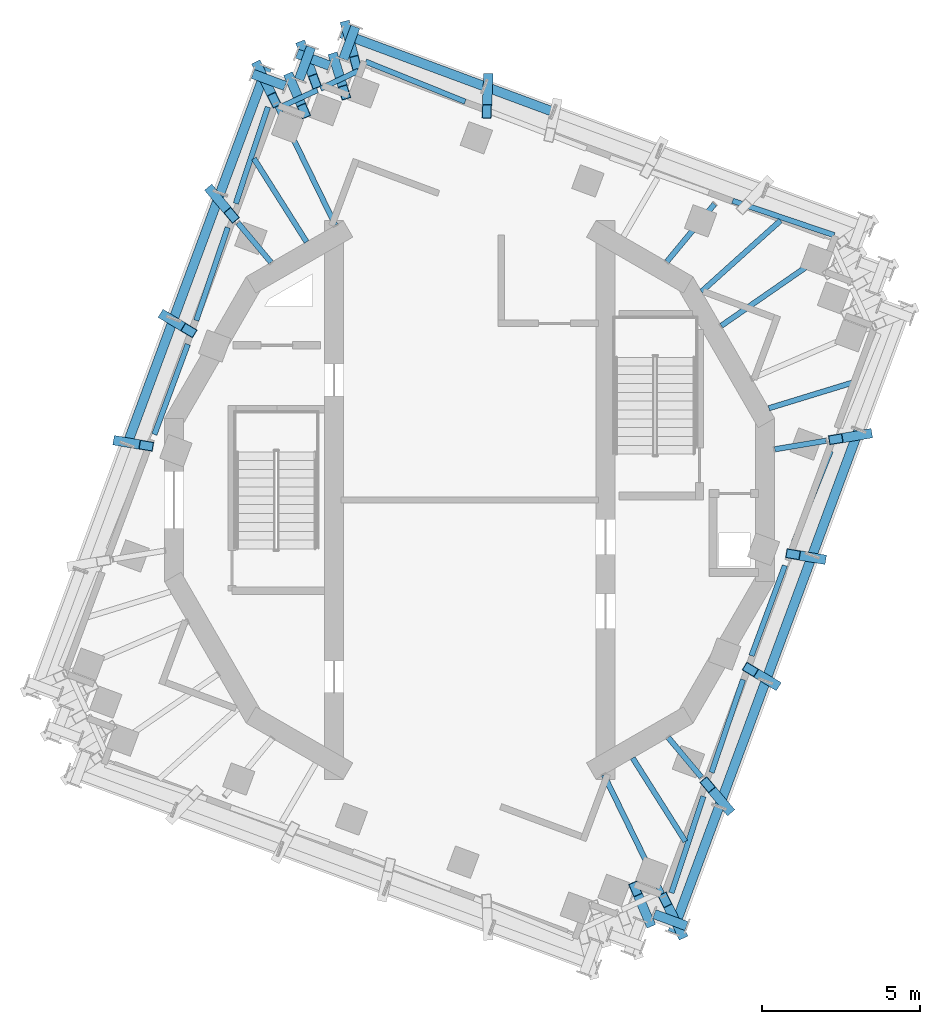
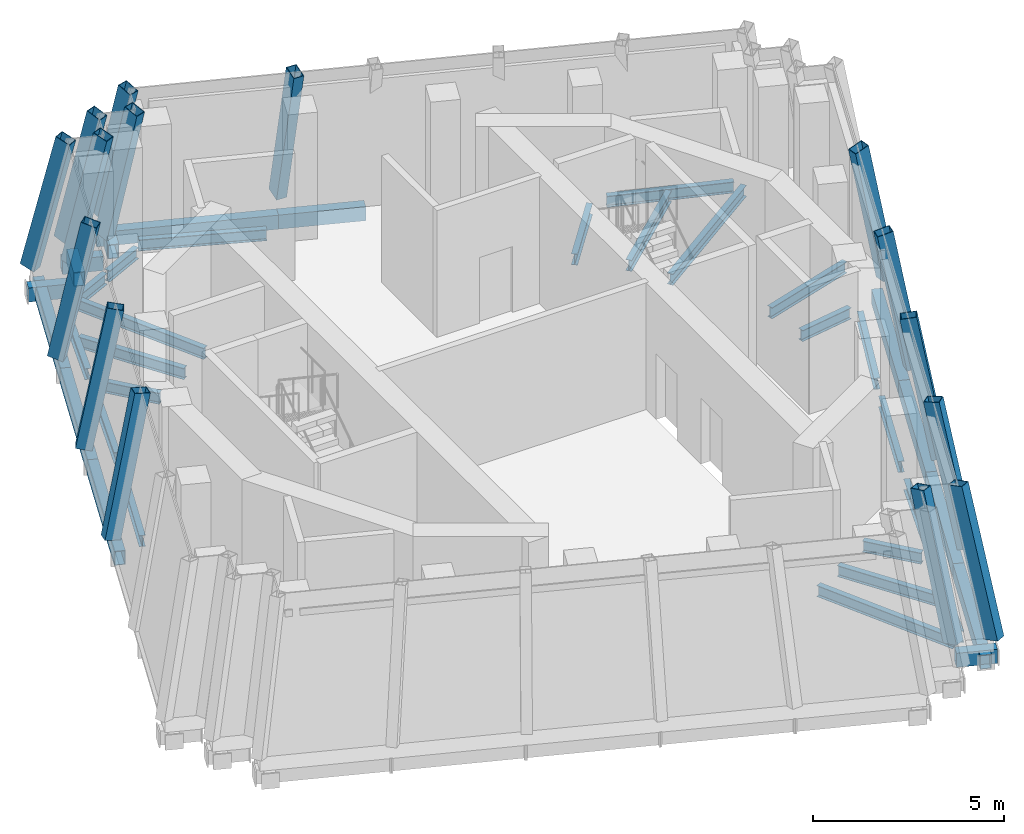
# One storey, part 2 of 11: 29 members, 22 beams, 16 elements without a shape of their own.
"""IFC4 building model written with IfcOpenShell, lengths in metres."""

from ifc_helpers import new_model, si_unit, direction, frame, origin, origin_2d, place, context, subcontext, project, spatial, hollow_rectangle, i_section, extrude, material, material_profile, profile_set, type_object, element, aggregate, save


model = new_model("IFC4")

# Units and contexts
model_context = context("Model", 3, precision=1e-05, world=origin(), true_north=direction((0.0, 1.0)))
body_context = subcontext(model_context, "Body", "Model", "MODEL_VIEW")
ifc_project = project(units=[si_unit("LENGTHUNIT", "METRE"), si_unit("AREAUNIT", "SQUARE_METRE"), si_unit("VOLUMEUNIT", "CUBIC_METRE"), si_unit("PLANEANGLEUNIT", "RADIAN"), si_unit("MASSUNIT", "GRAM", prefix="KILO")], contexts=[model_context])

# Site, building, storey
site_placement = place(None, origin())
site = spatial("IfcSite", under=ifc_project, at=site_placement, CompositionType="ELEMENT")
building_placement = place(site_placement, origin())
building = spatial("IfcBuilding", under=site, at=building_placement, Name="Cantera Rosa Tower", CompositionType="ELEMENT")
storey_placement = place(building_placement, frame((0.0, 0.0, 369.699951171875)))
storey = spatial("IfcBuildingStorey", under=building, at=storey_placement, Name="L83", CompositionType="ELEMENT", Elevation=369.699951171875)

# Curtain wall, member
ifc_material_1 = material(Name="Aluminium frame with clear glass", Category="aluminium")
curtain_wall_type = type_object("IfcCurtainWallType", Name="CW4 CROWN GLAZING", PredefinedType="NOTDEFINED", material=ifc_material_1)
curtain_wall_1_placement = place(storey_placement, origin())
curtain_wall_1 = element("IfcCurtainWall", 1, at=curtain_wall_1_placement, inside=storey, type_object=curtain_wall_type, Name="CW4 L83-05", PredefinedType="NOTDEFINED")
ifc_material_2 = material(Name="Steel S355J2 (EN 10025-2)", Category="steel")
ifc_material_profile_1 = material_profile(ifc_material_2, hollow_rectangle(XDim=0.300048828125, YDim=0.449951171875, WallThickness=0.01611328125, at=origin_2d()), Name="CROWN FRAME MULLION RHS 300x450x16")
ifc_profile_set_1 = profile_set([ifc_material_profile_1], Name="Steel S355J2 (EN 10025-2)")
member_type_1 = type_object("IfcMemberType", Name="CROWN FRAME MULLION RHS 300x450x16", PredefinedType="MULLION", material=ifc_profile_set_1)
member_1_placement = place(storey_placement, frame((0.58544921875, 13.28759765625, 0.0), z_axis=(-0.009433619005, -0.213687369813, 0.976856547716), x_axis=(0.999026950985, -0.044103868372, 0.0)))
member_1 = element("IfcMember", 2, at=member_1_placement, type_object=member_type_1, Name="CROWN FRAME rib L83-05", PredefinedType="MULLION", context=body_context, shape_type="SweptSolid", body=[
    extrude(hollow_rectangle(XDim=0.300048828125, YDim=0.449951171875, WallThickness=0.01611328125, at=origin_2d()), origin(), (0.0, 0.0, 1.0), 4.606689453125),
])

curtain_wall_2_placement = place(storey_placement, origin())
curtain_wall_2 = element("IfcCurtainWall", 3, at=curtain_wall_2_placement, inside=storey, type_object=curtain_wall_type, Name="CW4 L83-06", PredefinedType="NOTDEFINED")
member_2_placement = place(storey_placement, frame((-3.904052734375, 14.951171875, 0.0), z_axis=(0.062306478041, -0.238499733664, 0.96914177489), x_axis=(0.967528872957, 0.252760519059, 0.0)))
member_2 = element("IfcMember", 4, at=member_2_placement, type_object=member_type_1, Name="CROWN FRAME rib L83-06", PredefinedType="MULLION", context=body_context, shape_type="SweptSolid", body=[
    extrude(hollow_rectangle(XDim=0.300048828125, YDim=0.449951171875, WallThickness=0.01611328125, at=origin_2d()), origin(), (0.0, 0.0, 1.0), 4.643310546875),
])

curtain_wall_3_placement = place(storey_placement, origin())
curtain_wall_3 = element("IfcCurtainWall", 5, at=curtain_wall_3_placement, inside=storey, type_object=curtain_wall_type, Name="CW4 L83-07", PredefinedType="NOTDEFINED")
member_3_placement = place(storey_placement, frame((-4.279296875, 13.9384765625, 0.0), z_axis=(0.068476464334, -0.223102440423, 0.97238689569), x_axis=(0.955984057703, 0.293418611232, 0.0)))
member_3 = element("IfcMember", 6, at=member_3_placement, type_object=member_type_1, Name="CROWN FRAME rib L83-07", PredefinedType="MULLION", context=body_context, shape_type="SweptSolid", body=[
    extrude(hollow_rectangle(XDim=0.300048828125, YDim=0.449951171875, WallThickness=0.01611328125, at=origin_2d()), origin(), (0.0, 0.0, 1.0), 4.627685546875),
])

curtain_wall_4_placement = place(storey_placement, origin())
curtain_wall_4 = element("IfcCurtainWall", 7, at=curtain_wall_4_placement, inside=storey, type_object=curtain_wall_type, Name="CW4 L83-08", PredefinedType="NOTDEFINED")
member_4_placement = place(storey_placement, frame((-5.2919921875, 14.313720703125, 0.0), z_axis=(0.084505308064, -0.228522137559, 0.9698641583), x_axis=(0.937925785431, 0.346836014599, 0.0)))
member_4 = element("IfcMember", 8, at=member_4_placement, type_object=member_type_1, Name="CROWN FRAME rib L83-08", PredefinedType="MULLION", context=body_context, shape_type="SweptSolid", body=[
    extrude(hollow_rectangle(XDim=0.300048828125, YDim=0.449951171875, WallThickness=0.01611328125, at=origin_2d()), origin(), (0.0, 0.0, 1.0), 4.639892578125),
])

curtain_wall_5_placement = place(storey_placement, origin())
curtain_wall_5 = element("IfcCurtainWall", 9, at=curtain_wall_5_placement, inside=storey, type_object=curtain_wall_type, Name="CW4 L83-09", PredefinedType="NOTDEFINED")
member_5_placement = place(storey_placement, frame((-5.667236328125, 13.301025390625, 0.0), z_axis=(0.090728533158, -0.212966626696, 0.972837884328), x_axis=(0.919992009183, 0.39193711618, 0.0)))
member_5 = element("IfcMember", 10, at=member_5_placement, type_object=member_type_1, Name="CROWN FRAME rib L83-09", PredefinedType="MULLION", context=body_context, shape_type="SweptSolid", body=[
    extrude(hollow_rectangle(XDim=0.300048828125, YDim=0.449951171875, WallThickness=0.01611328125, at=origin_2d()), origin(), (0.0, 0.0, 1.0), 4.625732421875),
])

curtain_wall_6_placement = place(storey_placement, origin())
curtain_wall_6 = element("IfcCurtainWall", 11, at=curtain_wall_6_placement, inside=storey, type_object=curtain_wall_type, Name="CW4 L83-10", PredefinedType="NOTDEFINED")
member_6_placement = place(storey_placement, frame((-6.679931640625, 13.67626953125, 0.0), z_axis=(0.106675116343, -0.218349806467, 0.970022567557), x_axis=(0.898503957326, 0.438965418535, 0.0)))
member_6 = element("IfcMember", 12, at=member_6_placement, type_object=member_type_1, Name="CROWN FRAME rib L83-10", PredefinedType="MULLION", context=body_context, shape_type="SweptSolid", body=[
    extrude(hollow_rectangle(XDim=0.300048828125, YDim=0.449951171875, WallThickness=0.01611328125, at=origin_2d()), origin(), (0.0, 0.0, 1.0), 4.63916015625),
])

curtain_wall_7_placement = place(storey_placement, origin())
curtain_wall_7 = element("IfcCurtainWall", 13, at=curtain_wall_7_placement, inside=storey, type_object=curtain_wall_type, Name="CW4 L83-11", PredefinedType="NOTDEFINED")
member_7_placement = place(storey_placement, frame((-8.139892578125, 9.737060546875, 0.0), z_axis=(0.131173169055, -0.156929843951, 0.978859859121), x_axis=(0.76726269834, 0.641332949205, 0.0)))
member_7 = element("IfcMember", 14, at=member_7_placement, type_object=member_type_1, Name="CROWN FRAME rib L83-11", PredefinedType="MULLION", context=body_context, shape_type="SweptSolid", body=[
    extrude(hollow_rectangle(XDim=0.300048828125, YDim=0.449951171875, WallThickness=0.01611328125, at=origin_2d()), origin(), (0.0, 0.0, 1.0), 4.59716796875),
])

curtain_wall_8_placement = place(storey_placement, origin())
curtain_wall_8 = element("IfcCurtainWall", 15, at=curtain_wall_8_placement, inside=storey, type_object=curtain_wall_type, Name="CW4 L83-12", PredefinedType="NOTDEFINED")
member_8_placement = place(storey_placement, frame((-9.599609375, 5.797607421875, 0.0), z_axis=(0.15536192756, -0.093846713797, 0.983389783237), x_axis=(0.517043858329, 0.855958905886, 0.0)))
member_8 = element("IfcMember", 16, at=member_8_placement, type_object=member_type_1, Name="CROWN FRAME rib L83-12", PredefinedType="MULLION", context=body_context, shape_type="SweptSolid", body=[
    extrude(hollow_rectangle(XDim=0.300048828125, YDim=0.449951171875, WallThickness=0.01611328125, at=origin_2d()), origin(), (0.0, 0.0, 1.0), 4.575927734375),
])

curtain_wall_9_placement = place(storey_placement, origin())
curtain_wall_9 = element("IfcCurtainWall", 17, at=curtain_wall_9_placement, inside=storey, type_object=curtain_wall_type, Name="CW4 L83-13", PredefinedType="NOTDEFINED")
member_9_placement = place(storey_placement, frame((-11.0595703125, 1.858154296875, 0.0), z_axis=(0.179048567756, -0.030090402925, 0.983379976426), x_axis=(0.165733088337, 0.986170646202, 0.0)))
member_9 = element("IfcMember", 18, at=member_9_placement, type_object=member_type_1, Name="CROWN FRAME rib L83-13", PredefinedType="MULLION", context=body_context, shape_type="SweptSolid", body=[
    extrude(hollow_rectangle(XDim=0.300048828125, YDim=0.449951171875, WallThickness=0.01611328125, at=origin_2d()), origin(), (0.0, 0.0, 1.0), 4.576171875),
])
aggregate(curtain_wall_9, [member_9])

curtain_wall_10_placement = place(storey_placement, origin())
curtain_wall_10 = element("IfcCurtainWall", 19, at=curtain_wall_10_placement, inside=storey, type_object=curtain_wall_type, Name="CW4 L83-27", PredefinedType="NOTDEFINED")
member_10_placement = place(storey_placement, frame((5.667236328125, -13.301025390625, 0.0), z_axis=(-0.090728533158, 0.212966626696, 0.972837884328), x_axis=(-0.919992009183, -0.39193711618, 0.0)))
member_10 = element("IfcMember", 20, at=member_10_placement, type_object=member_type_1, Name="CROWN FRAME rib L83-27", PredefinedType="MULLION", context=body_context, shape_type="SweptSolid", body=[
    extrude(hollow_rectangle(XDim=0.300048828125, YDim=0.449951171875, WallThickness=0.01611328125, at=origin_2d()), origin(), (0.0, 0.0, 1.0), 4.625732421875),
])

curtain_wall_11_placement = place(storey_placement, origin())
curtain_wall_11 = element("IfcCurtainWall", 21, at=curtain_wall_11_placement, inside=storey, type_object=curtain_wall_type, Name="CW4 L83-28", PredefinedType="NOTDEFINED")
member_11_placement = place(storey_placement, frame((6.679931640625, -13.67626953125, 0.0), z_axis=(-0.106675116343, 0.218349806467, 0.970022567557), x_axis=(-0.898503957326, -0.438965418535, 0.0)))
member_11 = element("IfcMember", 22, at=member_11_placement, type_object=member_type_1, Name="CROWN FRAME rib L83-28", PredefinedType="MULLION", context=body_context, shape_type="SweptSolid", body=[
    extrude(hollow_rectangle(XDim=0.300048828125, YDim=0.449951171875, WallThickness=0.01611328125, at=origin_2d()), origin(), (0.0, 0.0, 1.0), 4.63916015625),
])

curtain_wall_12_placement = place(storey_placement, origin())
curtain_wall_12 = element("IfcCurtainWall", 23, at=curtain_wall_12_placement, inside=storey, type_object=curtain_wall_type, Name="CW4 L83-29", PredefinedType="NOTDEFINED")
member_12_placement = place(storey_placement, frame((8.139892578125, -9.737060546875, 0.0), z_axis=(-0.131173169055, 0.156929843951, 0.978859859121), x_axis=(-0.76726269834, -0.641332949205, 0.0)))
member_12 = element("IfcMember", 24, at=member_12_placement, type_object=member_type_1, Name="CROWN FRAME rib L83-29", PredefinedType="MULLION", context=body_context, shape_type="SweptSolid", body=[
    extrude(hollow_rectangle(XDim=0.300048828125, YDim=0.449951171875, WallThickness=0.01611328125, at=origin_2d()), origin(), (0.0, 0.0, 1.0), 4.59716796875),
])

curtain_wall_13_placement = place(storey_placement, origin())
curtain_wall_13 = element("IfcCurtainWall", 25, at=curtain_wall_13_placement, inside=storey, type_object=curtain_wall_type, Name="CW4 L83-30", PredefinedType="NOTDEFINED")
member_13_placement = place(storey_placement, frame((9.599609375, -5.797607421875, 0.0), z_axis=(-0.15536192756, 0.093846713797, 0.983389783237), x_axis=(-0.517043858329, -0.855958905886, 0.0)))
member_13 = element("IfcMember", 26, at=member_13_placement, type_object=member_type_1, Name="CROWN FRAME rib L83-30", PredefinedType="MULLION", context=body_context, shape_type="SweptSolid", body=[
    extrude(hollow_rectangle(XDim=0.300048828125, YDim=0.449951171875, WallThickness=0.01611328125, at=origin_2d()), origin(), (0.0, 0.0, 1.0), 4.575927734375),
])

curtain_wall_14_placement = place(storey_placement, origin())
curtain_wall_14 = element("IfcCurtainWall", 27, at=curtain_wall_14_placement, inside=storey, type_object=curtain_wall_type, Name="CW4 L83-31", PredefinedType="NOTDEFINED")
member_14_placement = place(storey_placement, frame((11.0595703125, -1.858154296875, 0.0), z_axis=(-0.179048567756, 0.030090402925, 0.983379976426), x_axis=(-0.165733088337, -0.986170646202, 0.0)))
member_14 = element("IfcMember", 28, at=member_14_placement, type_object=member_type_1, Name="CROWN FRAME rib L83-31", PredefinedType="MULLION", context=body_context, shape_type="SweptSolid", body=[
    extrude(hollow_rectangle(XDim=0.300048828125, YDim=0.449951171875, WallThickness=0.01611328125, at=origin_2d()), origin(), (0.0, 0.0, 1.0), 4.576171875),
])

curtain_wall_15_placement = place(storey_placement, origin())
curtain_wall_15 = element("IfcCurtainWall", 29, at=curtain_wall_15_placement, inside=storey, type_object=curtain_wall_type, Name="CW4 L83-32", PredefinedType="NOTDEFINED")
member_15_placement = place(storey_placement, frame((12.519287109375, 2.081298828125, 0.0), z_axis=(-0.201701136075, -0.033563748815, 0.978871864174), x_axis=(0.164146276387, -0.986436009049, 0.0)))
member_15 = element("IfcMember", 30, at=member_15_placement, type_object=member_type_1, Name="CROWN FRAME rib L83-32", PredefinedType="MULLION", context=body_context, shape_type="SweptSolid", body=[
    extrude(hollow_rectangle(XDim=0.300048828125, YDim=0.449951171875, WallThickness=0.01611328125, at=origin_2d()), origin(), (0.0, 0.0, 1.0), 4.59716796875),
])
aggregate(curtain_wall_15, [member_15])

curtain_wall_16_placement = place(storey_placement, origin())
curtain_wall_16 = element("IfcCurtainWall", 31, at=curtain_wall_16_placement, inside=storey, type_object=curtain_wall_type, Name="CW4 L83-04", PredefinedType="NOTDEFINED")
ifc_material_3 = material(Name="Steel S355J2 (EN 10025-2)", Category="steel")
ifc_material_profile_2 = material_profile(ifc_material_3, hollow_rectangle(XDim=0.300048828125, YDim=0.449951171875, WallThickness=0.01611328125, at=origin_2d()), Name="CROWN FRAME PURLIN RHS 300x450x16")
ifc_profile_set_2 = profile_set([ifc_material_profile_2], Name="Steel S355J2 (EN 10025-2)")
member_type_2 = type_object("IfcMemberType", Name="CROWN FRAME PURLIN RHS 300x450x16", PredefinedType="PURLIN", material=ifc_profile_set_2)
member_16_placement = place(storey_placement, frame((2.6474609375, 12.292236328125, -0.675048828125), z_axis=(-0.937680191067, 0.347499437812, 0.0), x_axis=(-0.347499437812, -0.937680191067, 0.0)))
member_16 = element("IfcMember", 32, at=member_16_placement, type_object=member_type_2, Name="CROWN FRAME purlin L83-04", PredefinedType="PURLIN", context=body_context, shape_type="SweptSolid", body=[
    extrude(hollow_rectangle(XDim=0.300048828125, YDim=0.449951171875, WallThickness=0.01611328125, at=origin_2d()), origin(), (0.0, 0.0, 1.0), 2.31982421875),
])
aggregate(curtain_wall_16, [member_16])

# Member
member_17_placement = place(storey_placement, frame((0.47216796875, 13.098388671875, -0.675048828125), z_axis=(-0.937685401829, 0.347485376953, 0.0), x_axis=(-0.347485376953, -0.937685401829, 0.0)))
member_17 = element("IfcMember", 33, at=member_17_placement, type_object=member_type_2, Name="CROWN FRAME purlin L83-05", PredefinedType="PURLIN", context=body_context, shape_type="SweptSolid", body=[
    extrude(hollow_rectangle(XDim=0.300048828125, YDim=0.449951171875, WallThickness=0.01611328125, at=origin_2d()), origin(), (0.0, 0.0, 1.0), 4.835205078125),
])

aggregate(curtain_wall_1, [member_1, member_17])

member_18_placement = place(storey_placement, frame((-3.619384765625, 14.984619140625, -0.675048828125), z_axis=(-0.347467379273, -0.937692071173, 0.0), x_axis=(0.937692071173, -0.347467379273, 0.0)))
member_18 = element("IfcMember", 34, at=member_18_placement, type_object=member_type_2, Name="CROWN FRAME purlin L83-06", PredefinedType="PURLIN", context=body_context, shape_type="SweptSolid", body=[
    extrude(hollow_rectangle(XDim=0.300048828125, YDim=0.449951171875, WallThickness=0.01611328125, at=origin_2d()), origin(), (0.0, 0.0, 1.0), 1.091064453125),
])

aggregate(curtain_wall_2, [member_2, member_18])

member_19_placement = place(storey_placement, frame((-4.441650390625, 13.755859375, -0.675048828125), z_axis=(-0.937665049804, 0.347540291729, 0.0), x_axis=(-0.347540291729, -0.937665049804, 0.0)))
member_19 = element("IfcMember", 35, at=member_19_placement, type_object=member_type_2, Name="CROWN FRAME purlin L83-07", PredefinedType="PURLIN", context=body_context, shape_type="SweptSolid", body=[
    extrude(hollow_rectangle(XDim=0.300048828125, YDim=0.449951171875, WallThickness=0.01611328125, at=origin_2d()), origin(), (0.0, 0.0, 1.0), 1.091064453125),
])

aggregate(curtain_wall_3, [member_3, member_19])

member_20_placement = place(storey_placement, frame((-5.02197265625, 14.339599609375, -0.675048828125), z_axis=(-0.347467379273, -0.937692071173, 0.0), x_axis=(0.937692071173, -0.347467379273, 0.0)))
member_20 = element("IfcMember", 36, at=member_20_placement, type_object=member_type_2, Name="CROWN FRAME purlin L83-08", PredefinedType="PURLIN", context=body_context, shape_type="SweptSolid", body=[
    extrude(hollow_rectangle(XDim=0.300048828125, YDim=0.449951171875, WallThickness=0.01611328125, at=origin_2d()), origin(), (0.0, 0.0, 1.0), 1.091064453125),
])

aggregate(curtain_wall_4, [member_4, member_20])

member_21_placement = place(storey_placement, frame((-5.844482421875, 13.112548828125, -0.675048828125), z_axis=(-0.937737961534, 0.347343512244, 0.0), x_axis=(-0.347343512244, -0.937737961534, 0.0)))
member_21 = element("IfcMember", 37, at=member_21_placement, type_object=member_type_2, Name="CROWN FRAME purlin L83-09", PredefinedType="PURLIN", context=body_context, shape_type="SweptSolid", body=[
    extrude(hollow_rectangle(XDim=0.300048828125, YDim=0.449951171875, WallThickness=0.01611328125, at=origin_2d()), origin(), (0.0, 0.0, 1.0), 1.0908203125),
])

aggregate(curtain_wall_5, [member_5, member_21])

member_22_placement = place(storey_placement, frame((-6.42431640625, 13.694580078125, -0.675048828125), z_axis=(-0.347501731493, -0.937679341038, 0.0), x_axis=(0.937679341038, -0.347501731493, 0.0)))
member_22 = element("IfcMember", 38, at=member_22_placement, type_object=member_type_2, Name="CROWN FRAME purlin L83-10", PredefinedType="PURLIN", context=body_context, shape_type="SweptSolid", body=[
    extrude(hollow_rectangle(XDim=0.300048828125, YDim=0.449951171875, WallThickness=0.01611328125, at=origin_2d()), origin(), (0.0, 0.0, 1.0), 4.243408203125),
])

aggregate(curtain_wall_6, [member_6, member_22])

member_23_placement = place(storey_placement, frame((-7.89892578125, 9.715576171875, -0.675048828125), z_axis=(-0.347482985453, -0.937686288063, 0.0), x_axis=(0.937686288063, -0.347482985453, 0.0)))
member_23 = element("IfcMember", 39, at=member_23_placement, type_object=member_type_2, Name="CROWN FRAME purlin L83-11", PredefinedType="PURLIN", context=body_context, shape_type="SweptSolid", body=[
    extrude(hollow_rectangle(XDim=0.300048828125, YDim=0.449951171875, WallThickness=0.01611328125, at=origin_2d()), origin(), (0.0, 0.0, 1.0), 4.24365234375),
])

aggregate(curtain_wall_7, [member_7, member_23])

member_24_placement = place(storey_placement, frame((-9.37353515625, 5.736328125, -0.675048828125), z_axis=(-0.347501731493, -0.937679341038, 0.0), x_axis=(0.937679341038, -0.347501731493, 0.0)))
member_24 = element("IfcMember", 40, at=member_24_placement, type_object=member_type_2, Name="CROWN FRAME purlin L83-12", PredefinedType="PURLIN", context=body_context, shape_type="SweptSolid", body=[
    extrude(hollow_rectangle(XDim=0.300048828125, YDim=0.449951171875, WallThickness=0.01611328125, at=origin_2d()), origin(), (0.0, 0.0, 1.0), 4.243408203125),
])

aggregate(curtain_wall_8, [member_8, member_24])

member_25_placement = place(storey_placement, frame((5.844482421875, -13.112548828125, -0.675048828125), z_axis=(0.937737961534, -0.347343512244, 0.0), x_axis=(0.347343512244, 0.937737961534, 0.0)))
member_25 = element("IfcMember", 41, at=member_25_placement, type_object=member_type_2, Name="CROWN FRAME purlin L83-27", PredefinedType="PURLIN", context=body_context, shape_type="SweptSolid", body=[
    extrude(hollow_rectangle(XDim=0.300048828125, YDim=0.449951171875, WallThickness=0.01611328125, at=origin_2d()), origin(), (0.0, 0.0, 1.0), 1.0908203125),
])

aggregate(curtain_wall_10, [member_10, member_25])

member_26_placement = place(storey_placement, frame((6.42431640625, -13.694580078125, -0.675048828125), z_axis=(0.347501731493, 0.937679341038, 0.0), x_axis=(-0.937679341038, 0.347501731493, 0.0)))
member_26 = element("IfcMember", 42, at=member_26_placement, type_object=member_type_2, Name="CROWN FRAME purlin L83-28", PredefinedType="PURLIN", context=body_context, shape_type="SweptSolid", body=[
    extrude(hollow_rectangle(XDim=0.300048828125, YDim=0.449951171875, WallThickness=0.01611328125, at=origin_2d()), origin(), (0.0, 0.0, 1.0), 4.243408203125),
])

aggregate(curtain_wall_11, [member_11, member_26])

member_27_placement = place(storey_placement, frame((7.89892578125, -9.715576171875, -0.675048828125), z_axis=(0.347482985453, 0.937686288063, 0.0), x_axis=(-0.937686288063, 0.347482985453, 0.0)))
member_27 = element("IfcMember", 43, at=member_27_placement, type_object=member_type_2, Name="CROWN FRAME purlin L83-29", PredefinedType="PURLIN", context=body_context, shape_type="SweptSolid", body=[
    extrude(hollow_rectangle(XDim=0.300048828125, YDim=0.449951171875, WallThickness=0.01611328125, at=origin_2d()), origin(), (0.0, 0.0, 1.0), 4.24365234375),
])

aggregate(curtain_wall_12, [member_12, member_27])

member_28_placement = place(storey_placement, frame((9.37353515625, -5.736328125, -0.675048828125), z_axis=(0.347501731493, 0.937679341038, 0.0), x_axis=(-0.937679341038, 0.347501731493, 0.0)))
member_28 = element("IfcMember", 44, at=member_28_placement, type_object=member_type_2, Name="CROWN FRAME purlin L83-30", PredefinedType="PURLIN", context=body_context, shape_type="SweptSolid", body=[
    extrude(hollow_rectangle(XDim=0.300048828125, YDim=0.449951171875, WallThickness=0.01611328125, at=origin_2d()), origin(), (0.0, 0.0, 1.0), 4.243408203125),
])

aggregate(curtain_wall_13, [member_13, member_28])

member_29_placement = place(storey_placement, frame((10.84814453125, -1.75732421875, -0.675048828125), z_axis=(0.347432400103, 0.937705032171, 0.0), x_axis=(-0.937705032171, 0.347432400103, 0.0)))
member_29 = element("IfcMember", 45, at=member_29_placement, type_object=member_type_2, Name="CROWN FRAME purlin L83-31", PredefinedType="PURLIN", context=body_context, shape_type="SweptSolid", body=[
    extrude(hollow_rectangle(XDim=0.300048828125, YDim=0.449951171875, WallThickness=0.01611328125, at=origin_2d()), origin(), (0.0, 0.0, 1.0), 4.24365234375),
])

aggregate(curtain_wall_14, [member_14, member_29])

# Beams
ifc_material_4 = material(Name="Steel ASTM A992 (Fy 345 MPa)", Category="steel")
ifc_material_profile_3 = material_profile(ifc_material_4, i_section(OverallWidth=0.1708984375, OverallDepth=0.35595703125, WebThickness=0.00732421875, FlangeThickness=0.01171875, FilletRadius=0.010009765625, at=origin_2d()), Name="W360X51")
ifc_profile_set_3 = profile_set([ifc_material_profile_3], Name="Steel ASTM A992 (Fy 345 MPa)")
beam_type_1 = type_object("IfcBeamType", Name="STEEL BEAM W360X51", PredefinedType="BEAM", material=ifc_profile_set_3)
beam_1_placement = place(storey_placement, frame((11.676513671875, 8.0849609375, -0.6279296875), z_axis=(-0.822153217413, -0.569266270823, 0.0), x_axis=(0.569266270823, -0.822153217413, 0.0)))
element("IfcBeam", 46, at=beam_1_placement, inside=storey, type_object=beam_type_1, Name="CG-Z6-01 L83", PredefinedType="BEAM", context=body_context, shape_type="SweptSolid", body=[
    extrude(i_section(OverallWidth=0.1708984375, OverallDepth=0.35595703125, WebThickness=0.00732421875, FlangeThickness=0.01171875, FilletRadius=0.010009765625, at=origin_2d()), origin(), (0.0, 0.0, 1.0), 4.510498046875),
])
beam_2_placement = place(storey_placement, frame((7.75537109375, 9.372314453125, -0.6279296875), z_axis=(-0.63748332089, -0.770464155939, 0.0), x_axis=(0.770464155939, -0.63748332089, 0.0)))
element("IfcBeam", 47, at=beam_2_placement, inside=storey, type_object=beam_type_1, Name="CG-Z6-02 L83", PredefinedType="BEAM", context=body_context, shape_type="SweptSolid", body=[
    extrude(i_section(OverallWidth=0.1708984375, OverallDepth=0.35595703125, WebThickness=0.00732421875, FlangeThickness=0.01171875, FilletRadius=0.010009765625, at=origin_2d()), origin(), (0.0, 0.0, 1.0), 2.368408203125),
])
beam_3_placement = place(storey_placement, frame((-6.13134765625, 12.55322265625, -0.6279296875), z_axis=(0.438858818434, -0.898556029128, 0.0), x_axis=(0.898556029128, 0.438858818434, 0.0)))
element("IfcBeam", 48, at=beam_3_placement, inside=storey, type_object=beam_type_1, Name="CG-Z6-03 L83", PredefinedType="BEAM", context=body_context, shape_type="SweptSolid", body=[
    extrude(i_section(OverallWidth=0.1708984375, OverallDepth=0.35595703125, WebThickness=0.00732421875, FlangeThickness=0.01171875, FilletRadius=0.010009765625, at=origin_2d()), origin(), (0.0, 0.0, 1.0), 4.2880859375),
])
beam_4_placement = place(storey_placement, frame((-7.338134765625, 8.77783203125, -0.6279296875), z_axis=(0.641401920153, -0.767205042231, 0.0), x_axis=(0.767205042231, 0.641401920153, 0.0)))
element("IfcBeam", 49, at=beam_4_placement, inside=storey, type_object=beam_type_1, Name="CG-Z6-04 L83", PredefinedType="BEAM", context=body_context, shape_type="SweptSolid", body=[
    extrude(i_section(OverallWidth=0.1708984375, OverallDepth=0.35595703125, WebThickness=0.00732421875, FlangeThickness=0.01171875, FilletRadius=0.010009765625, at=origin_2d()), origin(), (0.0, 0.0, 1.0), 1.635986328125),
])
beam_5_placement = place(storey_placement, frame((6.13134765625, -12.55322265625, -0.6279296875), z_axis=(-0.438858818434, 0.898556029128, 0.0), x_axis=(-0.898556029128, -0.438858818434, 0.0)))
element("IfcBeam", 50, at=beam_5_placement, inside=storey, type_object=beam_type_1, Name="CG-Z6-09 L83", PredefinedType="BEAM", context=body_context, shape_type="SweptSolid", body=[
    extrude(i_section(OverallWidth=0.1708984375, OverallDepth=0.35595703125, WebThickness=0.00732421875, FlangeThickness=0.01171875, FilletRadius=0.010009765625, at=origin_2d()), origin(), (0.0, 0.0, 1.0), 4.2880859375),
])
beam_6_placement = place(storey_placement, frame((7.338134765625, -8.77783203125, -0.6279296875), z_axis=(-0.641401920153, 0.767205042231, 0.0), x_axis=(-0.767205042231, -0.641401920153, 0.0)))
element("IfcBeam", 51, at=beam_6_placement, inside=storey, type_object=beam_type_1, Name="CG-Z6-10 L83", PredefinedType="BEAM", context=body_context, shape_type="SweptSolid", body=[
    extrude(i_section(OverallWidth=0.1708984375, OverallDepth=0.35595703125, WebThickness=0.00732421875, FlangeThickness=0.01171875, FilletRadius=0.010009765625, at=origin_2d()), origin(), (0.0, 0.0, 1.0), 1.635986328125),
])
beam_7_placement = place(storey_placement, frame((11.2861328125, 1.876220703125, -0.6279296875), z_axis=(-0.98645786112, -0.164014902479, 0.0), x_axis=(0.164014902479, -0.98645786112, 0.0)))
element("IfcBeam", 52, at=beam_7_placement, inside=storey, type_object=beam_type_1, Name="CG-Z6-11 L83", PredefinedType="BEAM", context=body_context, shape_type="SweptSolid", body=[
    extrude(i_section(OverallWidth=0.1708984375, OverallDepth=0.35595703125, WebThickness=0.00732421875, FlangeThickness=0.01171875, FilletRadius=0.010009765625, at=origin_2d()), origin(), (0.0, 0.0, 1.0), 1.649169921875),
])
beam_8_placement = place(storey_placement, frame((9.845703125, 8.849365234375, -0.6279296875), z_axis=(-0.743759359384, -0.668447466394, 0.0), x_axis=(0.668447466394, -0.743759359384, 0.0)))
element("IfcBeam", 53, at=beam_8_placement, inside=storey, type_object=beam_type_1, Name="CB-Z6-01 L83", PredefinedType="BEAM", context=body_context, shape_type="SweptSolid", body=[
    extrude(i_section(OverallWidth=0.1708984375, OverallDepth=0.35595703125, WebThickness=0.00732421875, FlangeThickness=0.01171875, FilletRadius=0.010009765625, at=origin_2d()), origin(), (0.0, 0.0, 1.0), 3.364990234375),
])
for number, where, z_axis, x_axis, name in (
    (54, (-6.832763671875, 10.81396484375, -0.6279296875), (0.534178171051, -0.845371919082, 0.0), (0.845371919082, 0.534178171051, 0.0), "CB-Z6-03 L83"),
    (55, (6.832763671875, -10.81396484375, -0.6279296875), (-0.534178171051, 0.845371919082, 0.0), (-0.845371919082, -0.534178171051, 0.0), "CB-Z6-07 L83"),
):
    element("IfcBeam", number, at=place(storey_placement, frame(where, z_axis=z_axis, x_axis=x_axis)), inside=storey, type_object=beam_type_1, Name=name, PredefinedType="BEAM", context=body_context, shape_type="SweptSolid", body=[
        extrude(i_section(OverallWidth=0.1708984375, OverallDepth=0.35595703125, WebThickness=0.00732421875, FlangeThickness=0.01171875, FilletRadius=0.010009765625, at=origin_2d()), origin(), (0.0, 0.0, 1.0), 3.124755859375),
    ])
beam_9_placement = place(storey_placement, frame((12.229736328125, 3.75, -0.6279296875), z_axis=(-0.956051673784, -0.29319822144, 0.0), x_axis=(0.29319822144, -0.956051673784, 0.0)))
element("IfcBeam", 56, at=beam_9_placement, inside=storey, type_object=beam_type_1, Name="CB-Z6-08 L83", PredefinedType="BEAM", context=body_context, shape_type="SweptSolid", body=[
    extrude(i_section(OverallWidth=0.1708984375, OverallDepth=0.35595703125, WebThickness=0.00732421875, FlangeThickness=0.01171875, FilletRadius=0.010009765625, at=origin_2d()), origin(), (0.0, 0.0, 1.0), 2.880126953125),
])
ifc_material_5 = material(Name="Steel ASTM A992 (Fy 345 MPa)", Category="steel")
ifc_material_profile_4 = material_profile(ifc_material_5, i_section(OverallWidth=0.1708984375, OverallDepth=0.35595703125, WebThickness=0.00732421875, FlangeThickness=0.01171875, FilletRadius=0.010009765625, at=origin_2d()), Name="W360X51")
ifc_profile_set_4 = profile_set([ifc_material_profile_4], Name="Steel ASTM A992 (Fy 345 MPa)")
beam_type_2 = type_object("IfcBeamType", Name="STEEL SPANDREL BEAM W360X51", PredefinedType="SPANDREL", material=ifc_profile_set_4)
beam_10_placement = place(storey_placement, frame((11.544189453125, 8.38427734375, -0.6279296875), z_axis=(-0.94710548671, 0.320922415925, 0.0), x_axis=(-0.320922415925, -0.94710548671, 0.0)))
element("IfcBeam", 57, at=beam_10_placement, inside=storey, type_object=beam_type_2, Name="CEB-Z6-01 L83", PredefinedType="SPANDREL", context=body_context, shape_type="SweptSolid", body=[
    extrude(i_section(OverallWidth=0.1708984375, OverallDepth=0.35595703125, WebThickness=0.00732421875, FlangeThickness=0.01171875, FilletRadius=0.010009765625, at=origin_2d()), origin(), (0.0, 0.0, 1.0), 3.398193359375),
])
beam_11_placement = place(storey_placement, frame((-0.140625, 12.6123046875, -0.6279296875), z_axis=(-0.927517407427, 0.373779960564, 0.0), x_axis=(-0.373779960564, -0.927517407427, 0.0)))
element("IfcBeam", 58, at=beam_11_placement, inside=storey, type_object=beam_type_2, Name="CEB-Z6-04 L83", PredefinedType="SPANDREL", context=body_context, shape_type="SweptSolid", body=[
    extrude(i_section(OverallWidth=0.1708984375, OverallDepth=0.35595703125, WebThickness=0.00732421875, FlangeThickness=0.01171875, FilletRadius=0.010009765625, at=origin_2d()), origin(), (0.0, 0.0, 1.0), 3.3984375),
])
beam_12_placement = place(storey_placement, frame((-3.521728515625, 13.5908203125, -0.6279296875), z_axis=(-0.905294876222, -0.424783694469, 0.0), x_axis=(0.424783694469, -0.905294876222, 0.0)))
element("IfcBeam", 59, at=beam_12_placement, inside=storey, type_object=beam_type_2, Name="CEB-Z6-05 L83", PredefinedType="SPANDREL", context=body_context, shape_type="SweptSolid", body=[
    extrude(i_section(OverallWidth=0.1708984375, OverallDepth=0.35595703125, WebThickness=0.00732421875, FlangeThickness=0.01171875, FilletRadius=0.010009765625, at=origin_2d()), origin(), (0.0, 0.0, 1.0), 1.322998046875),
])
beam_13_placement = place(storey_placement, frame((-4.821044921875, 12.9814453125, -0.6279296875), z_axis=(-0.908035117413, -0.4188940505, 0.0), x_axis=(0.4188940505, -0.908035117413, 0.0)))
element("IfcBeam", 60, at=beam_13_placement, inside=storey, type_object=beam_type_2, Name="CEB-Z6-06 L83", PredefinedType="SPANDREL", context=body_context, shape_type="SweptSolid", body=[
    extrude(i_section(OverallWidth=0.1708984375, OverallDepth=0.35595703125, WebThickness=0.00732421875, FlangeThickness=0.01171875, FilletRadius=0.010009765625, at=origin_2d()), origin(), (0.0, 0.0, 1.0), 1.320556640625),
])
beam_14_placement = place(storey_placement, frame((-6.38916015625, 12.44287109375, -0.6279296875), z_axis=(-0.315340306487, -0.948978656823, 0.0), x_axis=(0.948978656823, -0.315340306487, 0.0)))
element("IfcBeam", 61, at=beam_14_placement, inside=storey, type_object=beam_type_2, Name="CEB-Z6-07 L83", PredefinedType="SPANDREL", context=body_context, shape_type="SweptSolid", body=[
    extrude(i_section(OverallWidth=0.1708984375, OverallDepth=0.35595703125, WebThickness=0.00732421875, FlangeThickness=0.01171875, FilletRadius=0.010009765625, at=origin_2d()), origin(), (0.0, 0.0, 1.0), 3.21923828125),
])
beam_15_placement = place(storey_placement, frame((-7.6591796875, 8.629150390625, -0.6279296875), z_axis=(-0.321288798862, -0.946981260493, 0.0), x_axis=(0.946981260493, -0.321288798862, 0.0)))
element("IfcBeam", 62, at=beam_15_placement, inside=storey, type_object=beam_type_2, Name="CEB-Z6-08 L83", PredefinedType="SPANDREL", context=body_context, shape_type="SweptSolid", body=[
    extrude(i_section(OverallWidth=0.1708984375, OverallDepth=0.35595703125, WebThickness=0.00732421875, FlangeThickness=0.01171875, FilletRadius=0.010009765625, at=origin_2d()), origin(), (0.0, 0.0, 1.0), 3.108642578125),
])
beam_16_placement = place(storey_placement, frame((-8.925537109375, 4.931396484375, -0.6279296875), z_axis=(-0.347465798192, -0.937692657051, 0.0), x_axis=(0.937692657051, -0.347465798192, 0.0)))
element("IfcBeam", 63, at=beam_16_placement, inside=storey, type_object=beam_type_2, Name="CEB-Z6-09 L83", PredefinedType="SPANDREL", context=body_context, shape_type="SweptSolid", body=[
    extrude(i_section(OverallWidth=0.1708984375, OverallDepth=0.35595703125, WebThickness=0.00732421875, FlangeThickness=0.01171875, FilletRadius=0.010009765625, at=origin_2d()), origin(), (0.0, 0.0, 1.0), 3.045166015625),
])
beam_17_placement = place(storey_placement, frame((6.38916015625, -12.44287109375, -0.6279296875), z_axis=(0.315340306487, 0.948978656823, 0.0), x_axis=(-0.948978656823, 0.315340306487, 0.0)))
element("IfcBeam", 64, at=beam_17_placement, inside=storey, type_object=beam_type_2, Name="CEB-Z6-20 L83", PredefinedType="SPANDREL", context=body_context, shape_type="SweptSolid", body=[
    extrude(i_section(OverallWidth=0.1708984375, OverallDepth=0.35595703125, WebThickness=0.00732421875, FlangeThickness=0.01171875, FilletRadius=0.010009765625, at=origin_2d()), origin(), (0.0, 0.0, 1.0), 3.21923828125),
])
beam_18_placement = place(storey_placement, frame((7.6591796875, -8.629150390625, -0.6279296875), z_axis=(0.321288798862, 0.946981260493, 0.0), x_axis=(-0.946981260493, 0.321288798862, 0.0)))
element("IfcBeam", 65, at=beam_18_placement, inside=storey, type_object=beam_type_2, Name="CEB-Z6-21 L83", PredefinedType="SPANDREL", context=body_context, shape_type="SweptSolid", body=[
    extrude(i_section(OverallWidth=0.1708984375, OverallDepth=0.35595703125, WebThickness=0.00732421875, FlangeThickness=0.01171875, FilletRadius=0.010009765625, at=origin_2d()), origin(), (0.0, 0.0, 1.0), 3.108642578125),
])
beam_19_placement = place(storey_placement, frame((8.925537109375, -4.931396484375, -0.6279296875), z_axis=(0.347465798192, 0.937692657051, 0.0), x_axis=(-0.937692657051, 0.347465798192, 0.0)))
element("IfcBeam", 66, at=beam_19_placement, inside=storey, type_object=beam_type_2, Name="CEB-Z6-22 L83", PredefinedType="SPANDREL", context=body_context, shape_type="SweptSolid", body=[
    extrude(i_section(OverallWidth=0.1708984375, OverallDepth=0.35595703125, WebThickness=0.00732421875, FlangeThickness=0.01171875, FilletRadius=0.010009765625, at=origin_2d()), origin(), (0.0, 0.0, 1.0), 3.045166015625),
])
beam_20_placement = place(storey_placement, frame((10.27197265625, -1.32958984375, -0.6279296875), z_axis=(0.373434396537, 0.927656591354, 0.0), x_axis=(-0.927656591354, 0.373434396537, 0.0)))
element("IfcBeam", 67, at=beam_20_placement, inside=storey, type_object=beam_type_2, Name="CEB-Z6-23 L83", PredefinedType="SPANDREL", context=body_context, shape_type="SweptSolid", body=[
    extrude(i_section(OverallWidth=0.1708984375, OverallDepth=0.35595703125, WebThickness=0.00732421875, FlangeThickness=0.01171875, FilletRadius=0.010009765625, at=origin_2d()), origin(), (0.0, 0.0, 1.0), 3.108642578125),
])

save(model, "model.ifc")
